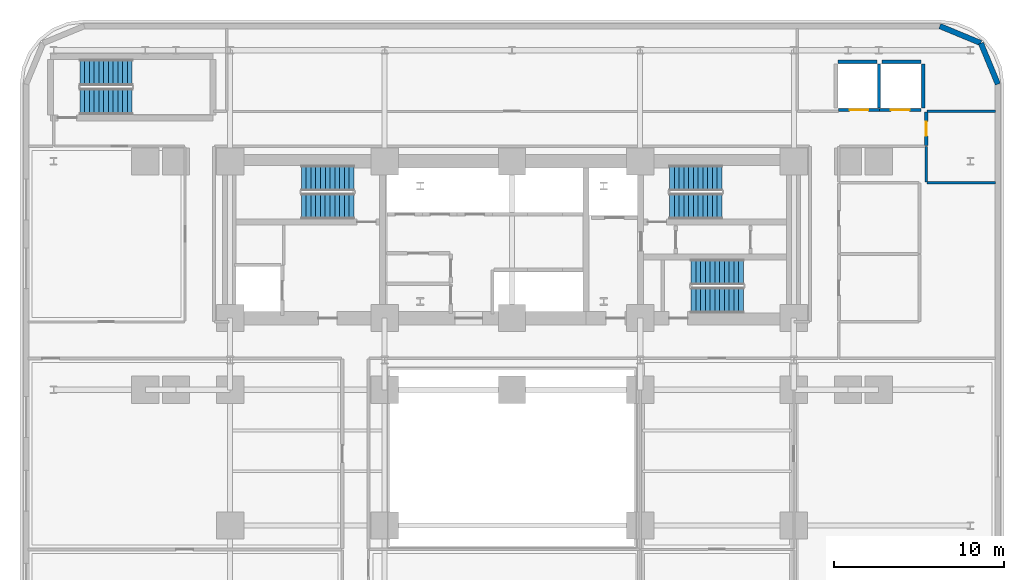
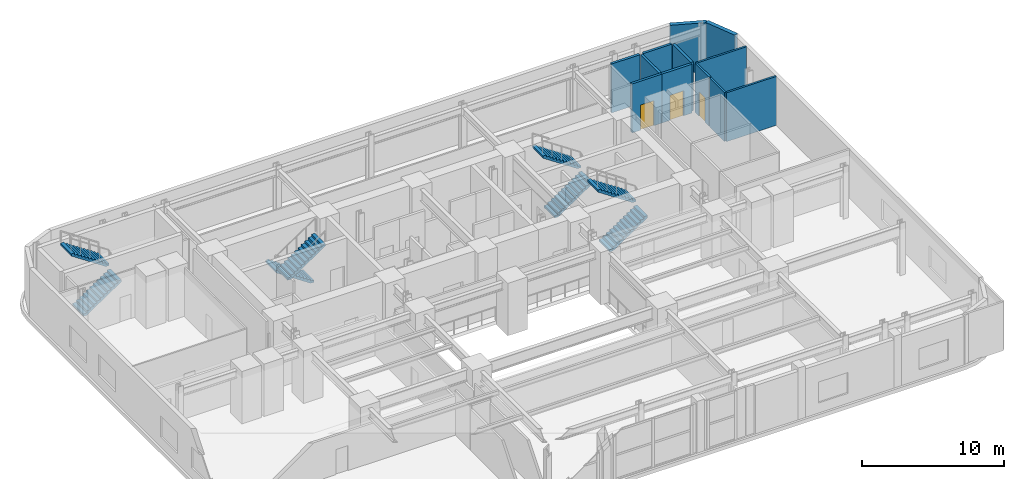
# One storey, part 9 of 14: 12 walls, 8 stair flights, 3 doors, 3 openings, 4 elements without a shape of their own.
"""IFC4 building model written with IfcOpenShell, lengths in metres."""

from ifc_helpers import new_model, si_unit, direction, frame, frame_2d, origin, place, context, subcontext, project, spatial, polyline, rectangle, outline, extrude, material, layer, layer_set, type_object, element, fill, aggregate, save


model = new_model("IFC4")

# Units and contexts
model_context = context("Model", 3, precision=1e-05, world=origin(), true_north=direction((0.0, 1.0)))
body_context = subcontext(model_context, "Body", "Model", "MODEL_VIEW")
ifc_project = project(units=[si_unit("LENGTHUNIT", "METRE"), si_unit("AREAUNIT", "SQUARE_METRE"), si_unit("VOLUMEUNIT", "CUBIC_METRE"), si_unit("PLANEANGLEUNIT", "RADIAN"), si_unit("MASSUNIT", "GRAM", prefix="KILO")], contexts=[model_context])

# Site, building, storey
site_placement = place(None, origin())
site = spatial("IfcSite", under=ifc_project, at=site_placement, CompositionType="ELEMENT")
building_placement = place(site_placement, origin())
building = spatial("IfcBuilding", under=site, at=building_placement, Name="Zarnavel Station Tower", CompositionType="ELEMENT")
storey_placement = place(building_placement, frame((0.0, 0.0, 14.89990234375)))
storey = spatial("IfcBuildingStorey", under=building, at=storey_placement, Name="L04", CompositionType="ELEMENT", Elevation=14.89990234375)

# Walls
ifc_material_1 = material(Name="Precast concrete C45/55 (Podium Basalt Frame)", Category="masonry")
ifc_layer_1 = layer(ifc_material_1, 0.320068359375)
ifc_layer_set_1 = layer_set([ifc_layer_1], Name="EW_BASALT_320")
wall_type_1 = type_object("IfcWallType", Name="EW_BASALT_320", PredefinedType="SOLIDWALL", material=ifc_layer_set_1)
for number, where, z_axis, x_axis, name in (
    (1, (56.418212890625, 44.018310546875, 0.0), (0.0, 0.0, 1.0), (0.382700522567, -0.923872453333, 0.0), "L04 Exterior Basalt Masonry Frame Wall 04"),
    (2, (54.0, 45.02001953125, 0.0), (0.0, 0.0, 1.0), (0.923872453333, -0.382700522567, 0.0), "L04 Exterior Basalt Masonry Frame Wall 05"),
):
    element("IfcWall", number, at=place(storey_placement, frame(where, z_axis=z_axis, x_axis=x_axis)), inside=storey, type_object=wall_type_1, Name=name, PredefinedType="SOLIDWALL", context=body_context, shape_type="SweptSolid", body=[
        extrude(rectangle(XDim=2.617431640625, YDim=0.320068359375, at=frame_2d((1.30859375, 0.0))), origin(), (0.0, 0.0, 1.0), 4.2001953125),
    ])
ifc_material_2 = material(Name="Gypsum Twin-Stud Acoustic Fire Partition", Category="concrete")
ifc_layer_2 = layer(ifc_material_2, 0.159912109375)
ifc_layer_set_2 = layer_set([ifc_layer_2], Name="PT_DEMISE_160")
wall_type_2 = type_object("IfcWallType", Name="PT_DEMISE_160", PredefinedType="PARTITIONING", material=ifc_layer_set_2)
for number, where, z_axis, x_axis, name in (
    (3, (53.22998046875, 35.800048828125, 0.0), (0.0, 0.0, 1.0), (1.0, 0.0, 0.0), "L04 Enclosure Wall PWC-A"),
    (4, (53.22998046875, 40.0, 0.0), (0.0, 0.0, 1.0), (1.0, 0.0, 0.0), "L04 Enclosure Wall PWC-A"),
):
    element("IfcWall", number, at=place(storey_placement, frame(where, z_axis=z_axis, x_axis=x_axis)), inside=storey, type_object=wall_type_2, Name=name, PredefinedType="PARTITIONING", context=body_context, shape_type="SweptSolid", body=[
        extrude(rectangle(XDim=4.06005859375, YDim=0.159912109375, at=frame_2d((2.030029296875, 0.0))), origin(), (0.0, 0.0, 1.0), 4.2001953125),
    ])
wall_1_placement = place(storey_placement, frame((53.199951171875, 35.830078125, 0.0), z_axis=(0.0, 0.0, 1.0), x_axis=(0.0, 1.0, 0.0)))
element("IfcWall", 5, at=wall_1_placement, inside=storey, type_object=wall_type_2, Name="L04 Enclosure Wall PWC-A", PredefinedType="PARTITIONING", context=body_context, shape_type="SweptSolid", body=[
    extrude(rectangle(XDim=2.08984375, YDim=0.159912109375, at=frame_2d((1.044921875, 0.0))), origin(), (0.0, 0.0, 1.0), 4.2001953125),
])

# Wall, opening, door
ifc_material_3 = material(Name="Precast concrete C45/55 (Fire Shaft Blockwork)", Category="masonry")
ifc_layer_3 = layer(ifc_material_3, 0.199951171875)
ifc_layer_set_3 = layer_set([ifc_layer_3], Name="PT_SHAFT_200")
wall_type_3 = type_object("IfcWallType", Name="PT_SHAFT_200", PredefinedType="PARTITIONING", material=ifc_layer_set_3)
wall_2_placement = place(storey_placement, frame((48.02001953125, 40.080078125, 0.0), z_axis=(0.0, 0.0, 1.0), x_axis=(1.0, 0.0, 0.0)))
wall_2 = element("IfcWall", 6, at=wall_2_placement, inside=storey, type_object=wall_type_3, Name="L04 Lift PL-P1 Shaft Front Wall", PredefinedType="PARTITIONING", context=body_context, shape_type="SweptSolid", body=[
    extrude(rectangle(XDim=2.429931640625, YDim=0.199951171875, at=frame_2d((1.21484375, 0.0))), origin(), (0.0, 0.0, 1.0), 4.2001953125),
])
opening_1_placement = place(wall_2_placement, frame((0.6650390625, 0.0, 0.0)))
opening_1 = element("IfcOpeningElement", 7, at=opening_1_placement, cuts=wall_2, Name="Opening LD02", PredefinedType="OPENING", context=body_context, shape_type="SweptSolid", body=[
    extrude(rectangle(XDim=1.10009765625, YDim=2.14990234375, at=frame_2d((0.550048828125, 1.074951171875))), frame((0.0, 0.10986328125, 0.0), z_axis=(0.0, -1.0, 0.0), x_axis=(1.0, 0.0, 0.0)), (0.0, 0.0, 1.0), 0.219970703125),
])
ifc_material_4 = material(Name="Painted Galvanised Steel and Hardwood Leaf", Category="steel")
door_type_1 = type_object("IfcDoorType", Name="LD_PAX_1100", OperationType="DOUBLE_DOOR_SLIDING", PredefinedType="DOOR", material=ifc_material_4)
door_1_placement = place(opening_1_placement, origin())
door_1 = element("IfcDoor", 8, at=door_1_placement, inside=storey, type_object=door_type_1, Name="L04 Lift PL-P1 Sliding Landing Door", OperationType="DOUBLE_DOOR_SLIDING", OverallHeight=2.14990234375, OverallWidth=1.10009765625, PredefinedType="DOOR", context=body_context, shape_type="SweptSolid", body=[
    extrude(rectangle(XDim=1.10009765625, YDim=2.14990234375, at=frame_2d((0.550048828125, 1.074951171875))), frame((0.0, 0.02490234375, 0.0), z_axis=(0.0, -1.0, 0.0), x_axis=(1.0, 0.0, 0.0)), (0.0, 0.0, 1.0), 0.050048828125),
])
fill(opening_1, door_1)

# Walls
wall_3_placement = place(storey_placement, frame((48.0, 42.919921875, 0.0), z_axis=(0.0, 0.0, 1.0), x_axis=(1.0, 0.0, 0.0)))
element("IfcWall", 9, at=wall_3_placement, inside=storey, type_object=wall_type_3, Name="L04 Lift PL-P1 Shaft Wall N", PredefinedType="PARTITIONING", context=body_context, shape_type="SweptSolid", body=[
    extrude(rectangle(XDim=2.300048828125, YDim=0.199951171875, at=frame_2d((1.14990234375, 0.0))), origin(), (0.0, 0.0, 1.0), 4.2001953125),
])
wall_4_placement = place(storey_placement, frame((50.419921875, 40.199951171875, 0.0), z_axis=(0.0, 0.0, 1.0), x_axis=(0.0, 1.0, 0.0)))
element("IfcWall", 10, at=wall_4_placement, inside=storey, type_object=wall_type_3, Name="L04 Lift PL-P1 Shaft Wall E", PredefinedType="PARTITIONING", context=body_context, shape_type="SweptSolid", body=[
    extrude(rectangle(XDim=2.60009765625, YDim=0.199951171875, at=frame_2d((1.300048828125, 0.0))), origin(), (0.0, 0.0, 1.0), 4.2001953125),
])

# Wall, opening, door
wall_5_placement = place(storey_placement, frame((50.449951171875, 40.080078125, 0.0), z_axis=(0.0, 0.0, 1.0), x_axis=(1.0, 0.0, 0.0)))
wall_5 = element("IfcWall", 11, at=wall_5_placement, inside=storey, type_object=wall_type_3, Name="L04 Lift PL-P2 Shaft Front Wall", PredefinedType="PARTITIONING", context=body_context, shape_type="SweptSolid", body=[
    extrude(rectangle(XDim=2.429931640625, YDim=0.199951171875, at=frame_2d((1.21484375, 0.0))), origin(), (0.0, 0.0, 1.0), 4.2001953125),
])
opening_2_placement = place(wall_5_placement, frame((0.6650390625, 0.0, 0.0)))
opening_2 = element("IfcOpeningElement", 12, at=opening_2_placement, cuts=wall_5, Name="Opening LD02", PredefinedType="OPENING", context=body_context, shape_type="SweptSolid", body=[
    extrude(rectangle(XDim=1.10009765625, YDim=2.14990234375, at=frame_2d((0.550048828125, 1.074951171875))), frame((0.0, 0.10986328125, 0.0), z_axis=(0.0, -1.0, 0.0), x_axis=(1.0, 0.0, 0.0)), (0.0, 0.0, 1.0), 0.219970703125),
])
door_2_placement = place(opening_2_placement, origin())
door_2 = element("IfcDoor", 13, at=door_2_placement, inside=storey, type_object=door_type_1, Name="L04 Lift PL-P2 Sliding Landing Door", OperationType="DOUBLE_DOOR_SLIDING", OverallHeight=2.14990234375, OverallWidth=1.10009765625, PredefinedType="DOOR", context=body_context, shape_type="SweptSolid", body=[
    extrude(rectangle(XDim=1.10009765625, YDim=2.14990234375, at=frame_2d((0.550048828125, 1.074951171875))), frame((0.0, 0.02490234375, 0.0), z_axis=(0.0, -1.0, 0.0), x_axis=(1.0, 0.0, 0.0)), (0.0, 0.0, 1.0), 0.050048828125),
])
fill(opening_2, door_2)

# Walls
wall_6_placement = place(storey_placement, frame((50.60009765625, 42.919921875, 0.0), z_axis=(0.0, 0.0, 1.0), x_axis=(1.0, 0.0, 0.0)))
element("IfcWall", 14, at=wall_6_placement, inside=storey, type_object=wall_type_3, Name="L04 Lift PL-P2 Shaft Wall N", PredefinedType="PARTITIONING", context=body_context, shape_type="SweptSolid", body=[
    extrude(rectangle(XDim=2.2998046875, YDim=0.199951171875, at=frame_2d((1.14990234375, 0.0))), origin(), (0.0, 0.0, 1.0), 4.2001953125),
])
wall_7_placement = place(storey_placement, frame((53.02001953125, 40.199951171875, 0.0), z_axis=(0.0, 0.0, 1.0), x_axis=(0.0, 1.0, 0.0)))
element("IfcWall", 15, at=wall_7_placement, inside=storey, type_object=wall_type_3, Name="L04 Lift PL-P2 Shaft Wall E", PredefinedType="PARTITIONING", context=body_context, shape_type="SweptSolid", body=[
    extrude(rectangle(XDim=2.60009765625, YDim=0.199951171875, at=frame_2d((1.300048828125, 0.0))), origin(), (0.0, 0.0, 1.0), 4.2001953125),
])

# Wall, opening, door
ifc_material_5 = material(Name="Moisture-Resistant Plumbing Chase Wall", Category="concrete")
ifc_layer_4 = layer(ifc_material_5, 0.179931640625)
ifc_layer_set_4 = layer_set([ifc_layer_4], Name="PW_PLUMB_180")
wall_type_4 = type_object("IfcWallType", Name="PW_PLUMB_180", PredefinedType="PLUMBINGWALL", material=ifc_layer_set_4)
wall_8_placement = place(storey_placement, frame((53.199951171875, 37.989990234375, 0.0), z_axis=(0.0, 0.0, 1.0), x_axis=(0.0, 1.0, 0.0)))
wall_8 = element("IfcWall", 16, at=wall_8_placement, inside=storey, type_object=wall_type_4, Name="L04 Partition PLLOB-PWC-A", PredefinedType="PLUMBINGWALL", context=body_context, shape_type="SweptSolid", body=[
    extrude(rectangle(XDim=1.969970703125, YDim=0.179931640625, at=frame_2d((0.98486328125, 0.0))), origin(), (0.0, 0.0, 1.0), 4.2001953125),
])
opening_3_placement = place(wall_8_placement, frame((0.56005859375, 0.0, 0.0)))
opening_3 = element("IfcOpeningElement", 17, at=opening_3_placement, cuts=wall_8, Name="Opening ID02", PredefinedType="OPENING", context=body_context, shape_type="SweptSolid", body=[
    extrude(rectangle(XDim=0.85009765625, YDim=2.10009765625, at=frame_2d((0.425048828125, 1.050048828125))), frame((0.0, 0.099853515625, 0.0), z_axis=(0.0, -1.0, 0.0), x_axis=(1.0, 0.0, 0.0)), (0.0, 0.0, 1.0), 0.199951171875),
])
ifc_material_6 = material(Name="Painted Galvanised Steel and Hardwood Leaf", Category="steel")
door_type_2 = type_object("IfcDoorType", Name="ID_BATH_850", OperationType="NOTDEFINED", PredefinedType="DOOR", material=ifc_material_6)
door_3_placement = place(opening_3_placement, origin())
door_3 = element("IfcDoor", 18, at=door_3_placement, inside=storey, type_object=door_type_2, Name="L04 Door PLLOB-PWC-A", OperationType="SINGLE_SWING_RIGHT", OverallHeight=2.10009765625, OverallWidth=0.85009765625, PredefinedType="DOOR", context=body_context, shape_type="SweptSolid", body=[
    extrude(rectangle(XDim=0.85009765625, YDim=2.10009765625, at=frame_2d((0.425048828125, 1.050048828125))), frame((0.0, 0.02490234375, 0.0), z_axis=(0.0, -1.0, 0.0), x_axis=(1.0, 0.0, 0.0)), (0.0, 0.0, 1.0), 0.050048828125),
])
fill(opening_3, door_3)

# Stair, stair flights
ifc_material_7 = material(Name="Concrete C45/55", Category="concrete")
stair_type_1 = type_object("IfcStairType", Name="ST_CORE_150", PredefinedType="HALF_TURN_STAIR", material=ifc_material_7)
stair_1_placement = place(storey_placement, origin())
stair_1 = element("IfcStair", 19, at=stair_1_placement, inside=storey, type_object=stair_type_1, Name="L04 Core Exit Stair ST1", PredefinedType="HALF_TURN_STAIR")
ifc_material_8 = material(Name="Concrete C45/55", Category="concrete")
ifc_layer_5 = layer(ifc_material_8, 0.179931640625)
ifc_layer_set_5 = layer_set([ifc_layer_5], Name="ST_CORE_150_FLT")
stair_flight_type_1 = type_object("IfcStairFlightType", Name="ST_CORE_150_FLT", PredefinedType="STRAIGHT", material=ifc_layer_set_5)
stair_flight_1_placement = place(storey_placement, frame((19.47998046875, 36.070068359375, 0.0), z_axis=(0.0, 0.0, 1.0), x_axis=(-1.0, 0.0, 0.0)))
stair_flight_1 = element("IfcStairFlight", 20, at=stair_flight_1_placement, type_object=stair_flight_type_1, Name="ST1 flight 1", NumberOfRisers=12, NumberOfTreads=11, PredefinedType="STRAIGHT", RiserHeight=0.1875, TreadLength=0.28, context=body_context, shape_type="SweptSolid", body=[
    extrude(outline(polyline([(0.0, 0.0), (0.0, 0.1875), (0.280029296875, 0.1875), (0.280029296875, 0.375), (0.56005859375, 0.375), (0.56005859375, 0.5625), (0.840087890625, 0.5625), (0.840087890625, 0.75), (1.1201171875, 0.75), (1.1201171875, 0.9375), (1.39990234375, 0.9375), (1.39990234375, 1.125), (1.679931640625, 1.125), (1.679931640625, 1.3125), (1.9599609375, 1.3125), (1.9599609375, 1.5), (2.239990234375, 1.5), (2.239990234375, 1.6875), (2.52001953125, 1.6875), (2.52001953125, 1.875), (2.800048828125, 1.875), (2.800048828125, 2.0625), (3.080078125, 2.0625), (3.080078125, 2.25), (3.080078125, 1.882080078125), (0.26953125, 0.0), (0.0, 0.0)])), frame((0.0, 0.75, 0.0), z_axis=(0.0, -1.0, 0.0), x_axis=(1.0, 0.0, 0.0)), (0.0, 0.0, 1.0), 1.5),
])
stair_flight_2_placement = place(storey_placement, frame((16.39990234375, 34.409912109375, 2.25), z_axis=(0.0, 0.0, 1.0), x_axis=(1.0, 0.0, 0.0)))
stair_flight_2 = element("IfcStairFlight", 21, at=stair_flight_2_placement, type_object=stair_flight_type_1, Name="ST1 flight 2", NumberOfRisers=12, NumberOfTreads=11, PredefinedType="STRAIGHT", RiserHeight=0.1875, TreadLength=0.28, context=body_context, shape_type="SweptSolid", body=[
    extrude(outline(polyline([(0.0, 0.0), (0.0, 0.1875), (0.280029296875, 0.1875), (0.280029296875, 0.375), (0.56005859375, 0.375), (0.56005859375, 0.5625), (0.840087890625, 0.5625), (0.840087890625, 0.75), (1.1201171875, 0.75), (1.1201171875, 0.9375), (1.39990234375, 0.9375), (1.39990234375, 1.125), (1.679931640625, 1.125), (1.679931640625, 1.3125), (1.9599609375, 1.3125), (1.9599609375, 1.5), (2.239990234375, 1.5), (2.239990234375, 1.6875), (2.52001953125, 1.6875), (2.52001953125, 1.875), (2.800048828125, 1.875), (2.800048828125, 2.0625), (3.080078125, 2.0625), (3.080078125, 2.25), (3.080078125, 1.882080078125), (0.26953125, 0.0), (0.0, 0.0)])), frame((0.0, 0.75, 0.0), z_axis=(0.0, -1.0, 0.0), x_axis=(1.0, 0.0, 0.0)), (0.0, 0.0, 1.0), 1.5),
])
aggregate(stair_1, [stair_flight_1, stair_flight_2])

stair_2_placement = place(storey_placement, origin())
stair_2 = element("IfcStair", 22, at=stair_2_placement, inside=storey, type_object=stair_type_1, Name="L04 Core Exit Stair ST2", PredefinedType="HALF_TURN_STAIR")
stair_flight_3_placement = place(storey_placement, frame((38.080078125, 34.409912109375, 0.0), z_axis=(0.0, 0.0, 1.0), x_axis=(1.0, 0.0, 0.0)))
stair_flight_3 = element("IfcStairFlight", 23, at=stair_flight_3_placement, type_object=stair_flight_type_1, Name="ST2 flight 1", NumberOfRisers=12, NumberOfTreads=11, PredefinedType="STRAIGHT", RiserHeight=0.1875, TreadLength=0.28, context=body_context, shape_type="SweptSolid", body=[
    extrude(outline(polyline([(0.0, 0.0), (0.0, 0.1875), (0.280029296875, 0.1875), (0.280029296875, 0.375), (0.56005859375, 0.375), (0.56005859375, 0.5625), (0.840087890625, 0.5625), (0.840087890625, 0.75), (1.1201171875, 0.75), (1.1201171875, 0.9375), (1.39990234375, 0.9375), (1.39990234375, 1.125), (1.679931640625, 1.125), (1.679931640625, 1.3125), (1.9599609375, 1.3125), (1.9599609375, 1.5), (2.239990234375, 1.5), (2.239990234375, 1.6875), (2.52001953125, 1.6875), (2.52001953125, 1.875), (2.800048828125, 1.875), (2.800048828125, 2.0625), (3.080078125, 2.0625), (3.080078125, 2.25), (3.080078125, 1.882080078125), (0.26953125, 0.0), (0.0, 0.0)])), frame((0.0, 0.75, 0.0), z_axis=(0.0, -1.0, 0.0), x_axis=(1.0, 0.0, 0.0)), (0.0, 0.0, 1.0), 1.5),
])
stair_flight_4_placement = place(storey_placement, frame((41.159912109375, 36.070068359375, 2.25), z_axis=(0.0, 0.0, 1.0), x_axis=(-1.0, 0.0, 0.0)))
stair_flight_4 = element("IfcStairFlight", 24, at=stair_flight_4_placement, type_object=stair_flight_type_1, Name="ST2 flight 2", NumberOfRisers=12, NumberOfTreads=11, PredefinedType="STRAIGHT", RiserHeight=0.1875, TreadLength=0.28, context=body_context, shape_type="SweptSolid", body=[
    extrude(outline(polyline([(0.0, 0.0), (0.0, 0.1875), (0.280029296875, 0.1875), (0.280029296875, 0.375), (0.56005859375, 0.375), (0.56005859375, 0.5625), (0.840087890625, 0.5625), (0.840087890625, 0.75), (1.1201171875, 0.75), (1.1201171875, 0.9375), (1.39990234375, 0.9375), (1.39990234375, 1.125), (1.679931640625, 1.125), (1.679931640625, 1.3125), (1.9599609375, 1.3125), (1.9599609375, 1.5), (2.239990234375, 1.5), (2.239990234375, 1.6875), (2.52001953125, 1.6875), (2.52001953125, 1.875), (2.800048828125, 1.875), (2.800048828125, 2.0625), (3.080078125, 2.0625), (3.080078125, 2.25), (3.080078125, 1.882080078125), (0.26953125, 0.0), (0.0, 0.0)])), frame((0.0, 0.75, 0.0), z_axis=(0.0, -1.0, 0.0), x_axis=(1.0, 0.0, 0.0)), (0.0, 0.0, 1.0), 1.5),
])
aggregate(stair_2, [stair_flight_3, stair_flight_4])

stair_3_placement = place(storey_placement, origin())
stair_3 = element("IfcStair", 25, at=stair_3_placement, inside=storey, type_object=stair_type_1, Name="L04 Core Exit Stair ST3", PredefinedType="HALF_TURN_STAIR")
stair_flight_5_placement = place(storey_placement, frame((39.35009765625, 28.8701171875, 0.0), z_axis=(0.0, 0.0, 1.0), x_axis=(1.0, 0.0, 0.0)))
stair_flight_5 = element("IfcStairFlight", 26, at=stair_flight_5_placement, type_object=stair_flight_type_1, Name="ST3 flight 1", NumberOfRisers=12, NumberOfTreads=11, PredefinedType="STRAIGHT", RiserHeight=0.1875, TreadLength=0.28, context=body_context, shape_type="SweptSolid", body=[
    extrude(outline(polyline([(0.0, 0.0), (0.0, 0.1875), (0.280029296875, 0.1875), (0.280029296875, 0.375), (0.56005859375, 0.375), (0.56005859375, 0.5625), (0.840087890625, 0.5625), (0.840087890625, 0.75), (1.1201171875, 0.75), (1.1201171875, 0.9375), (1.39990234375, 0.9375), (1.39990234375, 1.125), (1.679931640625, 1.125), (1.679931640625, 1.3125), (1.9599609375, 1.3125), (1.9599609375, 1.5), (2.239990234375, 1.5), (2.239990234375, 1.6875), (2.52001953125, 1.6875), (2.52001953125, 1.875), (2.800048828125, 1.875), (2.800048828125, 2.0625), (3.080078125, 2.0625), (3.080078125, 2.25), (3.080078125, 1.882080078125), (0.26953125, 0.0), (0.0, 0.0)])), frame((0.0, 0.75, 0.0), z_axis=(0.0, -1.0, 0.0), x_axis=(1.0, 0.0, 0.0)), (0.0, 0.0, 1.0), 1.5),
])
stair_flight_6_placement = place(storey_placement, frame((42.429931640625, 30.530029296875, 2.25), z_axis=(0.0, 0.0, 1.0), x_axis=(-1.0, 0.0, 0.0)))
stair_flight_6 = element("IfcStairFlight", 27, at=stair_flight_6_placement, type_object=stair_flight_type_1, Name="ST3 flight 2", NumberOfRisers=12, NumberOfTreads=11, PredefinedType="STRAIGHT", RiserHeight=0.1875, TreadLength=0.28, context=body_context, shape_type="SweptSolid", body=[
    extrude(outline(polyline([(0.0, 0.0), (0.0, 0.1875), (0.280029296875, 0.1875), (0.280029296875, 0.375), (0.56005859375, 0.375), (0.56005859375, 0.5625), (0.840087890625, 0.5625), (0.840087890625, 0.75), (1.1201171875, 0.75), (1.1201171875, 0.9375), (1.39990234375, 0.9375), (1.39990234375, 1.125), (1.679931640625, 1.125), (1.679931640625, 1.3125), (1.9599609375, 1.3125), (1.9599609375, 1.5), (2.239990234375, 1.5), (2.239990234375, 1.6875), (2.52001953125, 1.6875), (2.52001953125, 1.875), (2.800048828125, 1.875), (2.800048828125, 2.0625), (3.080078125, 2.0625), (3.080078125, 2.25), (3.080078125, 1.882080078125), (0.26953125, 0.0), (0.0, 0.0)])), frame((0.0, 0.75, 0.0), z_axis=(0.0, -1.0, 0.0), x_axis=(1.0, 0.0, 0.0)), (0.0, 0.0, 1.0), 1.5),
])
aggregate(stair_3, [stair_flight_5, stair_flight_6])

ifc_material_9 = material(Name="Concrete C45/55", Category="concrete")
stair_type_2 = type_object("IfcStairType", Name="ST_POD_155", PredefinedType="HALF_TURN_STAIR", material=ifc_material_9)
stair_4_placement = place(storey_placement, origin())
stair_4 = element("IfcStair", 28, at=stair_4_placement, inside=storey, type_object=stair_type_2, Name="L04 Core Exit Stair ST4", PredefinedType="HALF_TURN_STAIR")
ifc_material_10 = material(Name="Concrete C45/55", Category="concrete")
ifc_layer_6 = layer(ifc_material_10, 0.179931640625)
ifc_layer_set_6 = layer_set([ifc_layer_6], Name="ST_POD_155_FLT")
stair_flight_type_2 = type_object("IfcStairFlightType", Name="ST_POD_155_FLT", PredefinedType="STRAIGHT", material=ifc_layer_set_6)
stair_flight_7_placement = place(storey_placement, frame((3.35009765625, 40.574951171875, 0.0), z_axis=(0.0, 0.0, 1.0), x_axis=(1.0, 0.0, 0.0)))
stair_flight_7 = element("IfcStairFlight", 29, at=stair_flight_7_placement, type_object=stair_flight_type_2, Name="ST4 flight 1", NumberOfRisers=12, NumberOfTreads=11, PredefinedType="STRAIGHT", RiserHeight=0.1875, TreadLength=0.28, context=body_context, shape_type="SweptSolid", body=[
    extrude(outline(polyline([(0.0, 0.0), (0.0, 0.1875), (0.280029296875, 0.1875), (0.280029296875, 0.375), (0.56005859375, 0.375), (0.56005859375, 0.5625), (0.840087890625, 0.5625), (0.840087890625, 0.75), (1.1201171875, 0.75), (1.1201171875, 0.9375), (1.39990234375, 0.9375), (1.39990234375, 1.125), (1.679931640625, 1.125), (1.679931640625, 1.3125), (1.9599609375, 1.3125), (1.9599609375, 1.5), (2.239990234375, 1.5), (2.239990234375, 1.6875), (2.52001953125, 1.6875), (2.52001953125, 1.875), (2.800048828125, 1.875), (2.800048828125, 2.0625), (3.080078125, 2.0625), (3.080078125, 2.25), (3.080078125, 1.882080078125), (0.26953125, 0.0), (0.0, 0.0)])), frame((0.0, 0.77490234375, 0.0), z_axis=(0.0, -1.0, 0.0), x_axis=(1.0, 0.0, 0.0)), (0.0, 0.0, 1.0), 1.550048828125),
])
stair_flight_8_placement = place(storey_placement, frame((6.429931640625, 42.284912109375, 2.25), z_axis=(0.0, 0.0, 1.0), x_axis=(-1.0, 0.0, 0.0)))
stair_flight_8 = element("IfcStairFlight", 30, at=stair_flight_8_placement, type_object=stair_flight_type_2, Name="ST4 flight 2", NumberOfRisers=12, NumberOfTreads=11, PredefinedType="STRAIGHT", RiserHeight=0.1875, TreadLength=0.28, context=body_context, shape_type="SweptSolid", body=[
    extrude(outline(polyline([(0.0, 0.0), (0.0, 0.1875), (0.280029296875, 0.1875), (0.280029296875, 0.375), (0.56005859375, 0.375), (0.56005859375, 0.5625), (0.840087890625, 0.5625), (0.840087890625, 0.75), (1.1201171875, 0.75), (1.1201171875, 0.9375), (1.39990234375, 0.9375), (1.39990234375, 1.125), (1.679931640625, 1.125), (1.679931640625, 1.3125), (1.9599609375, 1.3125), (1.9599609375, 1.5), (2.239990234375, 1.5), (2.239990234375, 1.6875), (2.52001953125, 1.6875), (2.52001953125, 1.875), (2.800048828125, 1.875), (2.800048828125, 2.0625), (3.080078125, 2.0625), (3.080078125, 2.25), (3.080078125, 1.882080078125), (0.26953125, 0.0), (0.0, 0.0)])), frame((0.0, 0.77490234375, 0.0), z_axis=(0.0, -1.0, 0.0), x_axis=(1.0, 0.0, 0.0)), (0.0, 0.0, 1.0), 1.550048828125),
])
aggregate(stair_4, [stair_flight_7, stair_flight_8])

save(model, "model.ifc")
